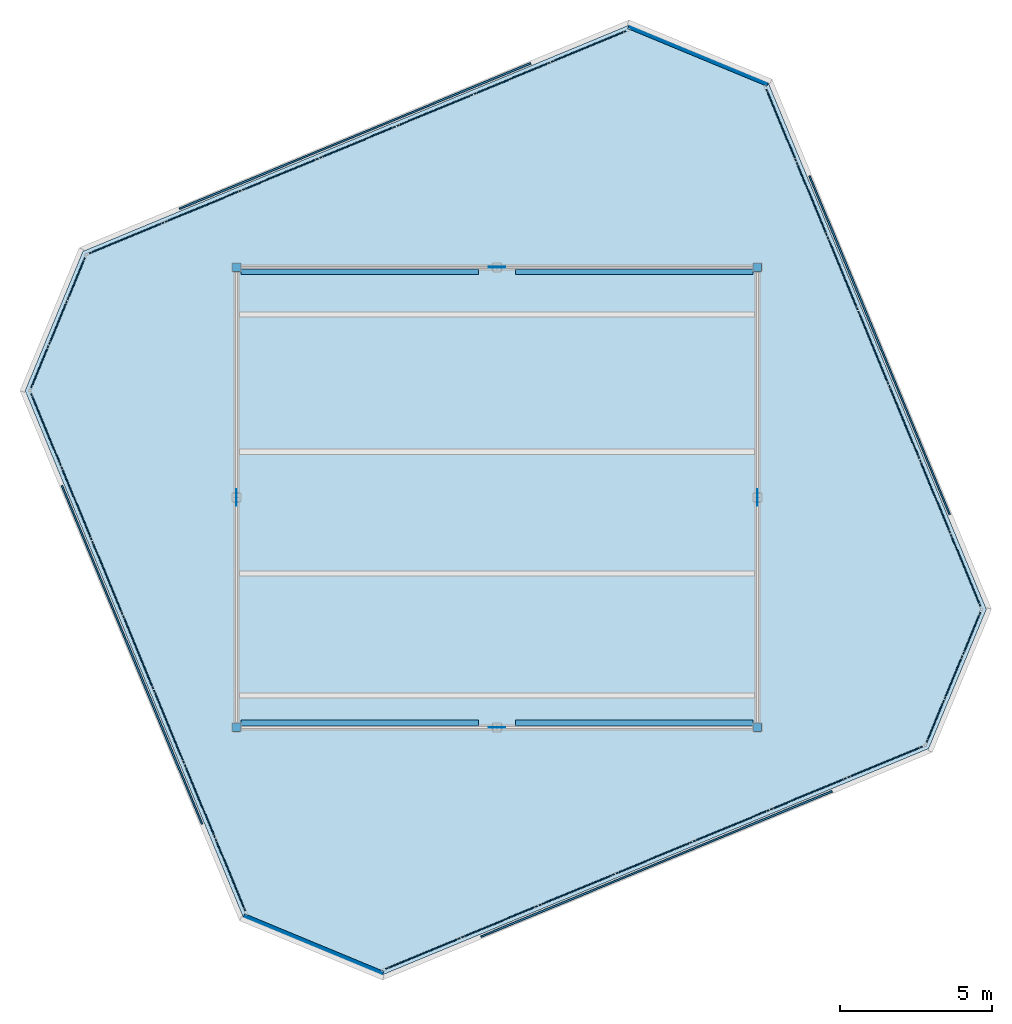
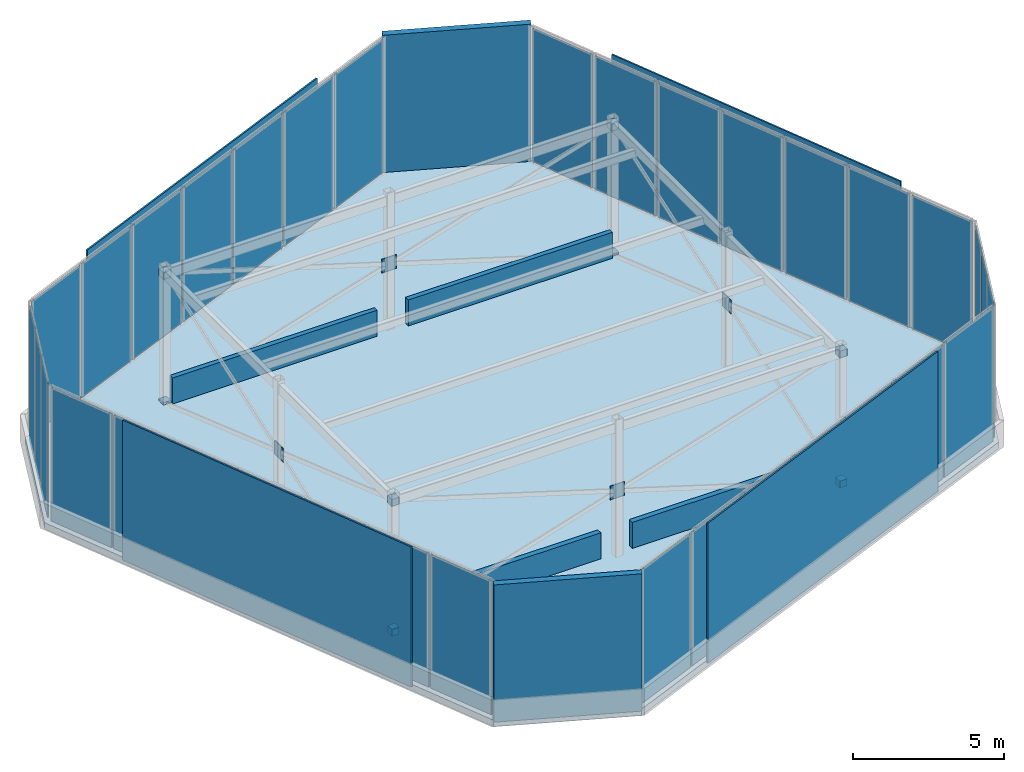
# One storey, part 11 of 12: 42 plates, 8 discrete accessories, 6 walls, 1 slab, 6 elements without a shape of their own.
"""IFC4 building model written with IfcOpenShell, lengths in metres."""

from ifc_helpers import new_model, si_unit, direction, frame, frame_2d, origin, origin_2d, place, context, subcontext, project, spatial, polyline, rectangle, outline, extrude, source, transform, mapped, material, layer, layer_set, type_object, element, aggregate, save


model = new_model("IFC4")

# Units and contexts
model_context = context("Model", 3, precision=1e-05, world=origin(), true_north=direction((0.0, 1.0)))
body_context = subcontext(model_context, "Body", "Model", "MODEL_VIEW")
ifc_project = project(units=[si_unit("LENGTHUNIT", "METRE"), si_unit("AREAUNIT", "SQUARE_METRE"), si_unit("VOLUMEUNIT", "CUBIC_METRE"), si_unit("PLANEANGLEUNIT", "RADIAN"), si_unit("MASSUNIT", "GRAM", prefix="KILO")], contexts=[model_context])

# Site, building, storey
site_placement = place(None, origin())
site = spatial("IfcSite", under=ifc_project, at=site_placement, CompositionType="ELEMENT")
building_placement = place(site_placement, origin())
building = spatial("IfcBuilding", under=site, at=building_placement, Name="Torre Montelarca", CompositionType="ELEMENT")
storey_placement = place(building_placement, frame((0.0, 0.0, 370.60009765625)))
storey = spatial("IfcBuildingStorey", under=building, at=storey_placement, Name="RF", CompositionType="ELEMENT", Elevation=370.60009765625)

# Slab
ifc_material_1 = material(Name="Concrete C40/50", Category="concrete")
ifc_layer_1 = layer(ifc_material_1, 0.260009765625, Name="Concrete C40/50", Category="concrete")
ifc_layer_set_1 = layer_set([ifc_layer_1], Name="Concrete C40/50")
slab_type = type_object("IfcSlabType", Name="SL-ROOF-260", PredefinedType="ROOF", material=ifc_layer_set_1)
slab_placement = place(storey_placement, frame((0.0, 0.0, -0.260009765625)))
element("IfcSlab", 1, at=slab_placement, inside=storey, type_object=slab_type, Name="RF Main Crown Roof Slab", PredefinedType="ROOF", context=body_context, shape_type="SweptSolid", body=[
    extrude(outline(polyline([(2.514892578125, 35.501220703125), (9.671142578125, 18.224609375), (14.244140625, 16.33056640625), (32.16748046875, 23.754638671875), (34.0615234375, 28.32763671875), (26.905517578125, 45.60400390625), (22.33251953125, 47.498291015625), (4.4091796875, 40.07421875), (2.514892578125, 35.501220703125)])), origin(), (0.0, 0.0, 1.0), 0.260009765625),
])

# Curtain wall, plates
ifc_material_2 = material(Name="Amber translucent laminated glass", Category="glass")
curtain_wall_type = type_object("IfcCurtainWallType", Name="CW-SYS-LANT", PredefinedType="USERDEFINED", material=ifc_material_2)
curtain_wall_1_placement = place(storey_placement, origin())
curtain_wall_1 = element("IfcCurtainWall", 2, at=curtain_wall_1_placement, inside=storey, type_object=curtain_wall_type, Name="RF Crown Translucent Amber Lantern Curtain Wall 01-1", ObjectType="TRANSLUCENT LANTERN", PredefinedType="USERDEFINED")
ifc_layer_2 = layer(ifc_material_2, 0.0400390625, Name="Amber translucent laminated glass", Category="glass")
ifc_layer_set_2 = layer_set([ifc_layer_2], Name="Amber translucent laminated glass")
plate_type_1 = type_object("IfcPlateType", Name="CWP-LANT-40", PredefinedType="CURTAIN_PANEL", material=ifc_layer_set_2)
shared_shape_1 = source(origin(), body_context, "Body", "SweptSolid", [
    extrude(rectangle(XDim=2.52294921875, YDim=0.0400390625, at=origin_2d()), origin(), (0.0, 0.0, 1.0), 5.389892578125),
])
plate_1_placement = place(storey_placement, frame((3.196044921875, 34.22314453125, 0.0751953125), z_axis=(0.0, 0.0, 1.0), x_axis=(0.382685491719, -0.923878679496, 0.0)))
plate_1 = element("IfcPlate", 3, at=plate_1_placement, type_object=plate_type_1, Name="CW panel 1.1", PredefinedType="CURTAIN_PANEL", context=body_context, shape_type="MappedRepresentation", body=[
    mapped(shared_shape_1, transform((0.0, 0.0, 0.0), scale=1.0)),
])
plate_2_placement = place(storey_placement, frame((9.2490234375, 19.610107421875, 0.0751953125), z_axis=(0.0, 0.0, 1.0), x_axis=(0.382685491719, -0.923878679496, 0.0)))
plate_2 = element("IfcPlate", 4, at=plate_2_placement, type_object=plate_type_1, Name="CW panel 7.1", PredefinedType="CURTAIN_PANEL", context=body_context, shape_type="MappedRepresentation", body=[
    mapped(shared_shape_1, transform((0.0, 0.0, 0.0), scale=1.0)),
])

curtain_wall_2_placement = place(storey_placement, origin())
curtain_wall_2 = element("IfcCurtainWall", 5, at=curtain_wall_2_placement, inside=storey, type_object=curtain_wall_type, Name="RF Crown Translucent Amber Lantern Curtain Wall 05-1", ObjectType="TRANSLUCENT LANTERN", PredefinedType="USERDEFINED")
plate_3_placement = place(storey_placement, frame((33.380615234375, 29.605712890625, 0.0751953125), z_axis=(0.0, 0.0, 1.0), x_axis=(-0.382687402821, 0.923877887885, 0.0)))
plate_3 = element("IfcPlate", 6, at=plate_3_placement, type_object=plate_type_1, Name="CW panel 1.1", PredefinedType="CURTAIN_PANEL", context=body_context, shape_type="MappedRepresentation", body=[
    mapped(shared_shape_1, transform((0.0, 0.0, 0.0), scale=1.0)),
])
plate_4_placement = place(storey_placement, frame((27.32763671875, 44.21875, 0.0751953125), z_axis=(0.0, 0.0, 1.0), x_axis=(-0.382687402821, 0.923877887885, 0.0)))
plate_4 = element("IfcPlate", 7, at=plate_4_placement, type_object=plate_type_1, Name="CW panel 7.1", PredefinedType="CURTAIN_PANEL", context=body_context, shape_type="MappedRepresentation", body=[
    mapped(shared_shape_1, transform((0.0, 0.0, 0.0), scale=1.0)),
])

# Plate
shared_shape_2 = source(origin(), body_context, "Body", "SweptSolid", [
    extrude(rectangle(XDim=2.562744140625, YDim=0.0400390625, at=origin_2d()), origin(), (0.0, 0.0, 1.0), 5.389892578125),
])
plate_5_placement = place(storey_placement, frame((4.19970703125, 31.800048828125, 0.0751953125), z_axis=(0.0, 0.0, 1.0), x_axis=(0.382685491719, -0.923878679496, 0.0)))
plate_5 = element("IfcPlate", 8, at=plate_5_placement, type_object=plate_type_1, Name="CW panel 2.1", PredefinedType="CURTAIN_PANEL", context=body_context, shape_type="MappedRepresentation", body=[
    mapped(shared_shape_2, transform((0.0, 0.0, 0.0), scale=1.0)),
])

plate_6_placement = place(storey_placement, frame((5.211181640625, 29.3583984375, 0.0751953125), z_axis=(0.0, 0.0, 1.0), x_axis=(0.382685491719, -0.923878679496, 0.0)))
plate_6 = element("IfcPlate", 9, at=plate_6_placement, type_object=plate_type_1, Name="CW panel 3.1", PredefinedType="CURTAIN_PANEL", context=body_context, shape_type="MappedRepresentation", body=[
    mapped(shared_shape_2, transform((0.0, 0.0, 0.0), scale=1.0)),
])

plate_7_placement = place(storey_placement, frame((6.222412109375, 26.91650390625, 0.0751953125), z_axis=(0.0, 0.0, 1.0), x_axis=(0.382685491719, -0.923878679496, 0.0)))
plate_7 = element("IfcPlate", 10, at=plate_7_placement, type_object=plate_type_1, Name="CW panel 4.1", PredefinedType="CURTAIN_PANEL", context=body_context, shape_type="MappedRepresentation", body=[
    mapped(shared_shape_2, transform((0.0, 0.0, 0.0), scale=1.0)),
])

plate_8_placement = place(storey_placement, frame((7.23388671875, 24.474853515625, 0.0751953125), z_axis=(0.0, 0.0, 1.0), x_axis=(0.382685491719, -0.923878679496, 0.0)))
plate_8 = element("IfcPlate", 11, at=plate_8_placement, type_object=plate_type_1, Name="CW panel 5.1", PredefinedType="CURTAIN_PANEL", context=body_context, shape_type="MappedRepresentation", body=[
    mapped(shared_shape_2, transform((0.0, 0.0, 0.0), scale=1.0)),
])

plate_9_placement = place(storey_placement, frame((8.2451171875, 22.033203125, 0.0751953125), z_axis=(0.0, 0.0, 1.0), x_axis=(0.382685491719, -0.923878679496, 0.0)))
plate_9 = element("IfcPlate", 12, at=plate_9_placement, type_object=plate_type_1, Name="CW panel 6.1", PredefinedType="CURTAIN_PANEL", context=body_context, shape_type="MappedRepresentation", body=[
    mapped(shared_shape_2, transform((0.0, 0.0, 0.0), scale=1.0)),
])

aggregate(curtain_wall_1, [plate_1, plate_5, plate_6, plate_7, plate_8, plate_9, plate_2])

plate_10_placement = place(storey_placement, frame((32.376953125, 32.02880859375, 0.0751953125), z_axis=(0.0, 0.0, 1.0), x_axis=(-0.382687402821, 0.923877887885, 0.0)))
plate_10 = element("IfcPlate", 13, at=plate_10_placement, type_object=plate_type_1, Name="CW panel 2.1", PredefinedType="CURTAIN_PANEL", context=body_context, shape_type="MappedRepresentation", body=[
    mapped(shared_shape_2, transform((0.0, 0.0, 0.0), scale=1.0)),
])

plate_11_placement = place(storey_placement, frame((31.365478515625, 34.470458984375, 0.0751953125), z_axis=(0.0, 0.0, 1.0), x_axis=(-0.382687402821, 0.923877887885, 0.0)))
plate_11 = element("IfcPlate", 14, at=plate_11_placement, type_object=plate_type_1, Name="CW panel 3.1", PredefinedType="CURTAIN_PANEL", context=body_context, shape_type="MappedRepresentation", body=[
    mapped(shared_shape_2, transform((0.0, 0.0, 0.0), scale=1.0)),
])

plate_12_placement = place(storey_placement, frame((30.354248046875, 36.912353515625, 0.0751953125), z_axis=(0.0, 0.0, 1.0), x_axis=(-0.382687402821, 0.923877887885, 0.0)))
plate_12 = element("IfcPlate", 15, at=plate_12_placement, type_object=plate_type_1, Name="CW panel 4.1", PredefinedType="CURTAIN_PANEL", context=body_context, shape_type="MappedRepresentation", body=[
    mapped(shared_shape_2, transform((0.0, 0.0, 0.0), scale=1.0)),
])

plate_13_placement = place(storey_placement, frame((29.3427734375, 39.35400390625, 0.0751953125), z_axis=(0.0, 0.0, 1.0), x_axis=(-0.382687402821, 0.923877887885, 0.0)))
plate_13 = element("IfcPlate", 16, at=plate_13_placement, type_object=plate_type_1, Name="CW panel 5.1", PredefinedType="CURTAIN_PANEL", context=body_context, shape_type="MappedRepresentation", body=[
    mapped(shared_shape_2, transform((0.0, 0.0, 0.0), scale=1.0)),
])

plate_14_placement = place(storey_placement, frame((28.331298828125, 41.795654296875, 0.0751953125), z_axis=(0.0, 0.0, 1.0), x_axis=(-0.382687402821, 0.923877887885, 0.0)))
plate_14 = element("IfcPlate", 17, at=plate_14_placement, type_object=plate_type_1, Name="CW panel 6.1", PredefinedType="CURTAIN_PANEL", context=body_context, shape_type="MappedRepresentation", body=[
    mapped(shared_shape_2, transform((0.0, 0.0, 0.0), scale=1.0)),
])

aggregate(curtain_wall_2, [plate_3, plate_10, plate_11, plate_12, plate_13, plate_14, plate_4])

# Plates
ifc_material_3 = material(Name="Architectural perforated terracotta ceramic", Category="masonry")
ifc_layer_3 = layer(ifc_material_3, 0.06005859375, Name="Architectural perforated terracotta ceramic", Category="masonry")
ifc_layer_set_3 = layer_set([ifc_layer_3], Name="Architectural perforated terracotta ceramic")
plate_type_2 = type_object("IfcPlateType", Name="SCR-CER-60", PredefinedType="USERDEFINED", material=ifc_layer_set_3)
shared_shape_3 = source(origin(), body_context, "Body", "SweptSolid", [
    extrude(rectangle(XDim=12.02490234375, YDim=0.06005859375, at=origin_2d()), origin(), (0.0, 0.0, 1.0), 5.64990234375),
])
for number, where, z_axis, x_axis, name in (
    (18, (6.019287109375, 26.83251953125, -0.025146484375), (0.0, 0.0, 1.0), (0.382683432365, -0.923879532511, 0.0), "RF Crown Perforated Ceramic Lantern Screen 1-1"),
    (19, (30.557373046875, 36.99658203125, -0.025146484375), (0.0, 0.0, 1.0), (-0.382685044838, 0.923878864601, 0.0), "RF Crown Perforated Ceramic Lantern Screen 5-1"),
):
    element("IfcPlate", number, at=place(storey_placement, frame(where, z_axis=z_axis, x_axis=x_axis)), inside=storey, type_object=plate_type_2, Name=name, ObjectType="SOLAR SCREEN", PredefinedType="USERDEFINED", context=body_context, shape_type="MappedRepresentation", body=[
        mapped(shared_shape_3, transform((0.0, 0.0, 0.0), scale=1.0)),
    ])

# Curtain wall, plates
curtain_wall_3_placement = place(storey_placement, origin())
curtain_wall_3 = element("IfcCurtainWall", 20, at=curtain_wall_3_placement, inside=storey, type_object=curtain_wall_type, Name="RF Crown Translucent Amber Lantern Curtain Wall 03-1", ObjectType="TRANSLUCENT LANTERN", PredefinedType="USERDEFINED")
shared_shape_4 = source(origin(), body_context, "Body", "SweptSolid", [
    extrude(rectangle(XDim=2.622802734375, YDim=0.0400390625, at=origin_2d()), origin(), (0.0, 0.0, 1.0), 5.389892578125),
])
plate_15_placement = place(storey_placement, frame((15.568359375, 17.030517578125, 0.0751953125), z_axis=(0.0, 0.0, 1.0), x_axis=(0.923878193356, 0.382686665357, 0.0)))
plate_15 = element("IfcPlate", 21, at=plate_15_placement, type_object=plate_type_1, Name="CW panel 1.1", PredefinedType="CURTAIN_PANEL", context=body_context, shape_type="MappedRepresentation", body=[
    mapped(shared_shape_4, transform((0.0, 0.0, 0.0), scale=1.0)),
])
plate_16_placement = place(storey_placement, frame((30.73583984375, 23.313232421875, 0.0751953125), z_axis=(0.0, 0.0, 1.0), x_axis=(0.923878193356, 0.382686665357, 0.0)))
plate_16 = element("IfcPlate", 22, at=plate_16_placement, type_object=plate_type_1, Name="CW panel 7.1", PredefinedType="CURTAIN_PANEL", context=body_context, shape_type="MappedRepresentation", body=[
    mapped(shared_shape_4, transform((0.0, 0.0, 0.0), scale=1.0)),
])

curtain_wall_4_placement = place(storey_placement, origin())
curtain_wall_4 = element("IfcCurtainWall", 23, at=curtain_wall_4_placement, inside=storey, type_object=curtain_wall_type, Name="RF Crown Translucent Amber Lantern Curtain Wall 07-1", ObjectType="TRANSLUCENT LANTERN", PredefinedType="USERDEFINED")
plate_17_placement = place(storey_placement, frame((21.008056640625, 46.798095703125, 0.0751953125), z_axis=(0.0, 0.0, 1.0), x_axis=(-0.923877430596, -0.382688506799, 0.0)))
plate_17 = element("IfcPlate", 24, at=plate_17_placement, type_object=plate_type_1, Name="CW panel 1.1", PredefinedType="CURTAIN_PANEL", context=body_context, shape_type="MappedRepresentation", body=[
    mapped(shared_shape_4, transform((0.0, 0.0, 0.0), scale=1.0)),
])
plate_18_placement = place(storey_placement, frame((5.8408203125, 40.515625, 0.0751953125), z_axis=(0.0, 0.0, 1.0), x_axis=(-0.923877430596, -0.382688506799, 0.0)))
plate_18 = element("IfcPlate", 25, at=plate_18_placement, type_object=plate_type_1, Name="CW panel 7.1", PredefinedType="CURTAIN_PANEL", context=body_context, shape_type="MappedRepresentation", body=[
    mapped(shared_shape_4, transform((0.0, 0.0, 0.0), scale=1.0)),
])

# Plate
shared_shape_5 = source(origin(), body_context, "Body", "SweptSolid", [
    extrude(rectangle(XDim=2.662841796875, YDim=0.0400390625, at=origin_2d()), origin(), (0.0, 0.0, 1.0), 5.389892578125),
])
plate_19_placement = place(storey_placement, frame((18.083984375, 18.072509765625, 0.0751953125), z_axis=(0.0, 0.0, 1.0), x_axis=(0.923878193356, 0.382686665357, 0.0)))
plate_19 = element("IfcPlate", 26, at=plate_19_placement, type_object=plate_type_1, Name="CW panel 2.1", PredefinedType="CURTAIN_PANEL", context=body_context, shape_type="MappedRepresentation", body=[
    mapped(shared_shape_5, transform((0.0, 0.0, 0.0), scale=1.0)),
])

plate_20_placement = place(storey_placement, frame((20.6181640625, 19.122314453125, 0.0751953125), z_axis=(0.0, 0.0, 1.0), x_axis=(0.923878193356, 0.382686665357, 0.0)))
plate_20 = element("IfcPlate", 27, at=plate_20_placement, type_object=plate_type_1, Name="CW panel 3.1", PredefinedType="CURTAIN_PANEL", context=body_context, shape_type="MappedRepresentation", body=[
    mapped(shared_shape_5, transform((0.0, 0.0, 0.0), scale=1.0)),
])

plate_21_placement = place(storey_placement, frame((23.152099609375, 20.171875, 0.0751953125), z_axis=(0.0, 0.0, 1.0), x_axis=(0.923878193356, 0.382686665357, 0.0)))
plate_21 = element("IfcPlate", 28, at=plate_21_placement, type_object=plate_type_1, Name="CW panel 4.1", PredefinedType="CURTAIN_PANEL", context=body_context, shape_type="MappedRepresentation", body=[
    mapped(shared_shape_5, transform((0.0, 0.0, 0.0), scale=1.0)),
])

plate_22_placement = place(storey_placement, frame((25.686279296875, 21.221435546875, 0.0751953125), z_axis=(0.0, 0.0, 1.0), x_axis=(0.923878193356, 0.382686665357, 0.0)))
plate_22 = element("IfcPlate", 29, at=plate_22_placement, type_object=plate_type_1, Name="CW panel 5.1", PredefinedType="CURTAIN_PANEL", context=body_context, shape_type="MappedRepresentation", body=[
    mapped(shared_shape_5, transform((0.0, 0.0, 0.0), scale=1.0)),
])

plate_23_placement = place(storey_placement, frame((28.22021484375, 22.271240234375, 0.0751953125), z_axis=(0.0, 0.0, 1.0), x_axis=(0.923878193356, 0.382686665357, 0.0)))
plate_23 = element("IfcPlate", 30, at=plate_23_placement, type_object=plate_type_1, Name="CW panel 6.1", PredefinedType="CURTAIN_PANEL", context=body_context, shape_type="MappedRepresentation", body=[
    mapped(shared_shape_5, transform((0.0, 0.0, 0.0), scale=1.0)),
])

aggregate(curtain_wall_3, [plate_15, plate_19, plate_20, plate_21, plate_22, plate_23, plate_16])

plate_24_placement = place(storey_placement, frame((18.492431640625, 45.756103515625, 0.0751953125), z_axis=(0.0, 0.0, 1.0), x_axis=(-0.923877430596, -0.382688506799, 0.0)))
plate_24 = element("IfcPlate", 31, at=plate_24_placement, type_object=plate_type_1, Name="CW panel 2.1", PredefinedType="CURTAIN_PANEL", context=body_context, shape_type="MappedRepresentation", body=[
    mapped(shared_shape_5, transform((0.0, 0.0, 0.0), scale=1.0)),
])

plate_25_placement = place(storey_placement, frame((15.95849609375, 44.70654296875, 0.0751953125), z_axis=(0.0, 0.0, 1.0), x_axis=(-0.923877430596, -0.382688506799, 0.0)))
plate_25 = element("IfcPlate", 32, at=plate_25_placement, type_object=plate_type_1, Name="CW panel 3.1", PredefinedType="CURTAIN_PANEL", context=body_context, shape_type="MappedRepresentation", body=[
    mapped(shared_shape_5, transform((0.0, 0.0, 0.0), scale=1.0)),
])

plate_26_placement = place(storey_placement, frame((13.42431640625, 43.656982421875, 0.0751953125), z_axis=(0.0, 0.0, 1.0), x_axis=(-0.923877430596, -0.382688506799, 0.0)))
plate_26 = element("IfcPlate", 33, at=plate_26_placement, type_object=plate_type_1, Name="CW panel 4.1", PredefinedType="CURTAIN_PANEL", context=body_context, shape_type="MappedRepresentation", body=[
    mapped(shared_shape_5, transform((0.0, 0.0, 0.0), scale=1.0)),
])

plate_27_placement = place(storey_placement, frame((10.890380859375, 42.607177734375, 0.0751953125), z_axis=(0.0, 0.0, 1.0), x_axis=(-0.923877430596, -0.382688506799, 0.0)))
plate_27 = element("IfcPlate", 34, at=plate_27_placement, type_object=plate_type_1, Name="CW panel 5.1", PredefinedType="CURTAIN_PANEL", context=body_context, shape_type="MappedRepresentation", body=[
    mapped(shared_shape_5, transform((0.0, 0.0, 0.0), scale=1.0)),
])

plate_28_placement = place(storey_placement, frame((8.356201171875, 41.5576171875, 0.0751953125), z_axis=(0.0, 0.0, 1.0), x_axis=(-0.923877430596, -0.382688506799, 0.0)))
plate_28 = element("IfcPlate", 35, at=plate_28_placement, type_object=plate_type_1, Name="CW panel 6.1", PredefinedType="CURTAIN_PANEL", context=body_context, shape_type="MappedRepresentation", body=[
    mapped(shared_shape_5, transform((0.0, 0.0, 0.0), scale=1.0)),
])

aggregate(curtain_wall_4, [plate_17, plate_24, plate_25, plate_26, plate_27, plate_28, plate_18])

# Plates
shared_shape_6 = source(origin(), body_context, "Body", "SweptSolid", [
    extrude(rectangle(XDim=12.47998046875, YDim=0.06005859375, at=origin_2d()), origin(), (0.0, 0.0, 1.0), 5.64990234375),
])
for number, where, z_axis, x_axis, name in (
    (36, (23.236328125, 19.968505859375, -0.025146484375), (0.0, 0.0, 1.0), (0.923878864601, 0.382685044838, 0.0), "RF Crown Perforated Ceramic Lantern Screen 3-1"),
    (37, (13.340087890625, 43.860107421875, -0.025146484375), (0.0, 0.0, 1.0), (-0.923878196688, -0.382686657311, 0.0), "RF Crown Perforated Ceramic Lantern Screen 7-1"),
):
    element("IfcPlate", number, at=place(storey_placement, frame(where, z_axis=z_axis, x_axis=x_axis)), inside=storey, type_object=plate_type_2, Name=name, ObjectType="SOLAR SCREEN", PredefinedType="USERDEFINED", context=body_context, shape_type="MappedRepresentation", body=[
        mapped(shared_shape_6, transform((0.0, 0.0, 0.0), scale=1.0)),
    ])

# Curtain wall, plates
curtain_wall_5_placement = place(storey_placement, origin())
curtain_wall_5 = element("IfcCurtainWall", 38, at=curtain_wall_5_placement, inside=storey, type_object=curtain_wall_type, Name="RF Crown Translucent Amber Lantern Curtain Wall 04-1", ObjectType="TRANSLUCENT LANTERN", PredefinedType="USERDEFINED")
shared_shape_7 = source(origin(), body_context, "Body", "SweptSolid", [
    extrude(rectangle(XDim=1.46337890625, YDim=0.0400390625, at=origin_2d()), origin(), (0.0, 0.0, 1.0), 5.389892578125),
])
plate_29_placement = place(storey_placement, frame((32.386962890625, 24.650390625, 0.0751953125), z_axis=(0.0, 0.0, 1.0), x_axis=(0.38269206634, 0.923875956154, 0.0)))
plate_29 = element("IfcPlate", 39, at=plate_29_placement, type_object=plate_type_1, Name="CW panel 1.1", PredefinedType="CURTAIN_PANEL", context=body_context, shape_type="MappedRepresentation", body=[
    mapped(shared_shape_7, transform((0.0, 0.0, 0.0), scale=1.0)),
])
plate_30_placement = place(storey_placement, frame((33.58349609375, 27.5390625, 0.0751953125), z_axis=(0.0, 0.0, 1.0), x_axis=(0.38269206634, 0.923875956154, 0.0)))
plate_30 = element("IfcPlate", 40, at=plate_30_placement, type_object=plate_type_1, Name="CW panel 3.1", PredefinedType="CURTAIN_PANEL", context=body_context, shape_type="MappedRepresentation", body=[
    mapped(shared_shape_7, transform((0.0, 0.0, 0.0), scale=1.0)),
])
shared_shape_8 = source(origin(), body_context, "Body", "SweptSolid", [
    extrude(rectangle(XDim=1.503173828125, YDim=0.0400390625, at=origin_2d()), origin(), (0.0, 0.0, 1.0), 5.389892578125),
])
plate_31_placement = place(storey_placement, frame((32.985107421875, 26.0947265625, 0.0751953125), z_axis=(0.0, 0.0, 1.0), x_axis=(0.38269206634, 0.923875956154, 0.0)))
plate_31 = element("IfcPlate", 41, at=plate_31_placement, type_object=plate_type_1, Name="CW panel 2.1", PredefinedType="CURTAIN_PANEL", context=body_context, shape_type="MappedRepresentation", body=[
    mapped(shared_shape_8, transform((0.0, 0.0, 0.0), scale=1.0)),
])
aggregate(curtain_wall_5, [plate_29, plate_31, plate_30])

curtain_wall_6_placement = place(storey_placement, origin())
curtain_wall_6 = element("IfcCurtainWall", 42, at=curtain_wall_6_placement, inside=storey, type_object=curtain_wall_type, Name="RF Crown Translucent Amber Lantern Curtain Wall 08-1", ObjectType="TRANSLUCENT LANTERN", PredefinedType="USERDEFINED")
plate_32_placement = place(storey_placement, frame((3.591552734375, 37.734130859375, 0.0751953125), z_axis=(0.0, 0.0, 1.0), x_axis=(-0.382699510188, -0.923872872695, 0.0)))
plate_32 = element("IfcPlate", 43, at=plate_32_placement, type_object=plate_type_1, Name="CW panel 2.1", PredefinedType="CURTAIN_PANEL", context=body_context, shape_type="MappedRepresentation", body=[
    mapped(shared_shape_8, transform((0.0, 0.0, 0.0), scale=1.0)),
])
shared_shape_9 = source(origin(), body_context, "Body", "SweptSolid", [
    extrude(rectangle(XDim=1.463134765625, YDim=0.0400390625, at=origin_2d()), origin(), (0.0, 0.0, 1.0), 5.389892578125),
])
plate_33_placement = place(storey_placement, frame((4.189697265625, 39.178466796875, 0.0751953125), z_axis=(0.0, 0.0, 1.0), x_axis=(-0.382699510188, -0.923872872695, 0.0)))
plate_33 = element("IfcPlate", 44, at=plate_33_placement, type_object=plate_type_1, Name="CW panel 1.1", PredefinedType="CURTAIN_PANEL", context=body_context, shape_type="MappedRepresentation", body=[
    mapped(shared_shape_9, transform((0.0, 0.0, 0.0), scale=1.0)),
])
plate_34_placement = place(storey_placement, frame((2.9931640625, 36.2900390625, 0.0751953125), z_axis=(0.0, 0.0, 1.0), x_axis=(-0.382699510188, -0.923872872695, 0.0)))
plate_34 = element("IfcPlate", 45, at=plate_34_placement, type_object=plate_type_1, Name="CW panel 3.1", PredefinedType="CURTAIN_PANEL", context=body_context, shape_type="MappedRepresentation", body=[
    mapped(shared_shape_9, transform((0.0, 0.0, 0.0), scale=1.0)),
])
aggregate(curtain_wall_6, [plate_33, plate_32, plate_34])

# Plates
ifc_material_4 = material(Name="Steel ASTM A572 Grade 50", Category="steel")
ifc_layer_4 = layer(ifc_material_4, 0.02392578125, Name="Steel ASTM A572 Grade 50", Category="steel")
ifc_layer_set_4 = layer_set([ifc_layer_4], Name="Steel ASTM A572 Grade 50")
plate_type_3 = type_object("IfcPlateType", Name="PL-GUSSET-24-EXT", PredefinedType="SHEET", material=ifc_layer_set_4)
shared_shape_10 = source(origin(), body_context, "Body", "SweptSolid", [
    extrude(rectangle(XDim=0.550048828125, YDim=0.02392578125, at=origin_2d()), origin(), (0.0, 0.0, 1.0), 0.550048828125),
])
for number, where, z_axis, x_axis, name in (
    (46, (18.0, 39.550048828125, 2.2998046875), (0.0, 0.0, 1.0), (1.0, 0.0, 0.0), "RF Crown X-Brace Crossing Gusset Node Plate N"),
    (47, (18.0, 24.449951171875, 2.2998046875), (0.0, 0.0, 1.0), (1.0, 0.0, 0.0), "RF Crown X-Brace Crossing Gusset Node Plate S"),
    (48, (26.550048828125, 32.0, 2.2998046875), (0.0, 0.0, 1.0), (0.0, 1.0, 0.0), "RF Crown X-Brace Crossing Gusset Node Plate E"),
    (49, (9.449951171875, 32.0, 2.2998046875), (0.0, 0.0, 1.0), (0.0, 1.0, 0.0), "RF Crown X-Brace Crossing Gusset Node Plate W"),
):
    element("IfcPlate", number, at=place(storey_placement, frame(where, z_axis=z_axis, x_axis=x_axis)), inside=storey, type_object=plate_type_3, Name=name, PredefinedType="SHEET", context=body_context, shape_type="MappedRepresentation", body=[
        mapped(shared_shape_10, transform((0.0, 0.0, 0.0), scale=1.0)),
    ])

# Walls
ifc_layer_5 = layer(ifc_material_3, 0.239990234375, Name="Architectural perforated terracotta ceramic", Category="masonry")
ifc_layer_set_5 = layer_set([ifc_layer_5], Name="Architectural perforated terracotta ceramic")
wall_type_1 = type_object("IfcWallType", Name="EW-CROWN-240", PredefinedType="SOLIDWALL", material=ifc_layer_set_5)
for number, where, z_axis, x_axis, name in (
    (50, (9.671142578125, 18.224609375, 0.0), (0.0, 0.0, 1.0), (0.923890592403, -0.382656730333, 0.0), "RF Crown Perforated Ceramic Chamfer Pier 02"),
    (51, (26.905517578125, 45.60400390625, 0.0), (0.0, 0.0, 1.0), (-0.923873154062, 0.382698830941, 0.0), "RF Crown Perforated Ceramic Chamfer Pier 06"),
):
    element("IfcWall", number, at=place(storey_placement, frame(where, z_axis=z_axis, x_axis=x_axis)), inside=storey, type_object=wall_type_1, Name=name, PredefinedType="SOLIDWALL", context=body_context, shape_type="SweptSolid", body=[
        extrude(rectangle(XDim=4.94970703125, YDim=0.239990234375, at=frame_2d((2.474853515625, 0.0))), origin(), (0.0, 0.0, 1.0), 5.539794921875),
    ])
ifc_material_5 = material(Name="Precast concrete C45/55", Category="concrete")
ifc_layer_6 = layer(ifc_material_5, 0.179931640625, Name="Precast concrete C45/55", Category="concrete")
ifc_layer_set_6 = layer_set([ifc_layer_6], Name="Precast concrete C45/55")
wall_type_2 = type_object("IfcWallType", Name="EW-PAR-180", PredefinedType="PARAPET", material=ifc_layer_set_6)
for number, where, z_axis, x_axis, name in (
    (52, (9.60009765625, 39.39990234375, 0.0), (0.0, 0.0, 1.0), (1.0, 0.0, 0.0), "RF Crown Inner Service Parapet Curb 03"),
    (53, (18.60009765625, 39.39990234375, 0.0), (0.0, 0.0, 1.0), (1.0, 0.0, 0.0), "RF Crown Inner Service Parapet Curb 04"),
):
    element("IfcWall", number, at=place(storey_placement, frame(where, z_axis=z_axis, x_axis=x_axis)), inside=storey, type_object=wall_type_2, Name=name, PredefinedType="PARAPET", context=body_context, shape_type="SweptSolid", body=[
        extrude(rectangle(XDim=7.7998046875, YDim=0.179931640625, at=frame_2d((3.89990234375, 0.0))), origin(), (0.0, 0.0, 1.0), 1.0498046875),
    ])
ifc_layer_7 = layer(ifc_material_5, 0.199951171875, Name="Precast concrete C45/55", Category="concrete")
ifc_layer_set_7 = layer_set([ifc_layer_7], Name="Precast concrete C45/55")
wall_type_3 = type_object("IfcWallType", Name="EW-PAR-200", PredefinedType="PARAPET", material=ifc_layer_set_7)
for number, where, z_axis, x_axis, name in (
    (54, (9.60009765625, 24.60009765625, 0.0), (0.0, 0.0, 1.0), (1.0, 0.0, 0.0), "RF Crown Inner Service Parapet Curb 01"),
    (55, (18.60009765625, 24.60009765625, 0.0), (0.0, 0.0, 1.0), (1.0, 0.0, 0.0), "RF Crown Inner Service Parapet Curb 02"),
):
    element("IfcWall", number, at=place(storey_placement, frame(where, z_axis=z_axis, x_axis=x_axis)), inside=storey, type_object=wall_type_3, Name=name, PredefinedType="PARAPET", context=body_context, shape_type="SweptSolid", body=[
        extrude(rectangle(XDim=7.7998046875, YDim=0.199951171875, at=frame_2d((3.89990234375, 0.0))), origin(), (0.0, 0.0, 1.0), 1.0498046875),
    ])

# Discrete accessories
ifc_material_6 = material(Name="Stainless steel AISI 316", Category="steel")
discrete_accessory_type = type_object("IfcDiscreteAccessoryType", Name="ACC-BRACKET-SS", PredefinedType="BRACKET", material=ifc_material_6)
shared_shape_11 = source(origin(), body_context, "Body", "SweptSolid", [
    extrude(rectangle(XDim=0.280029296875, YDim=0.280029296875, at=origin_2d()), origin(), (0.0, 0.0, 1.0), 0.280029296875),
])
for number, where, z_axis, x_axis, name in (
    (56, (9.449951171875, 24.449951171875, -0.18994140625), (0.0, 0.0, 1.0), (1.0, 0.0, 0.0), "RF Crown Diagonal End Connection Bracket 1-B"),
    (57, (9.449951171875, 24.449951171875, 5.06005859375), (0.0, 0.0, 1.0), (1.0, 0.0, 0.0), "RF Crown Diagonal End Connection Bracket 1-T"),
    (58, (26.550048828125, 24.449951171875, -0.18994140625), (0.0, 0.0, 1.0), (1.0, 0.0, 0.0), "RF Crown Diagonal End Connection Bracket 2-B"),
    (59, (26.550048828125, 24.449951171875, 5.06005859375), (0.0, 0.0, 1.0), (1.0, 0.0, 0.0), "RF Crown Diagonal End Connection Bracket 2-T"),
    (60, (26.550048828125, 39.550048828125, -0.18994140625), (0.0, 0.0, 1.0), (1.0, 0.0, 0.0), "RF Crown Diagonal End Connection Bracket 3-B"),
    (61, (26.550048828125, 39.550048828125, 5.06005859375), (0.0, 0.0, 1.0), (1.0, 0.0, 0.0), "RF Crown Diagonal End Connection Bracket 3-T"),
    (62, (9.449951171875, 39.550048828125, -0.18994140625), (0.0, 0.0, 1.0), (1.0, 0.0, 0.0), "RF Crown Diagonal End Connection Bracket 4-B"),
    (63, (9.449951171875, 39.550048828125, 5.06005859375), (0.0, 0.0, 1.0), (1.0, 0.0, 0.0), "RF Crown Diagonal End Connection Bracket 4-T"),
):
    element("IfcDiscreteAccessory", number, at=place(storey_placement, frame(where, z_axis=z_axis, x_axis=x_axis)), inside=storey, type_object=discrete_accessory_type, Name=name, PredefinedType="BRACKET", context=body_context, shape_type="MappedRepresentation", body=[
        mapped(shared_shape_11, transform((0.0, 0.0, 0.0), scale=1.0)),
    ])

save(model, "model.ifc")
